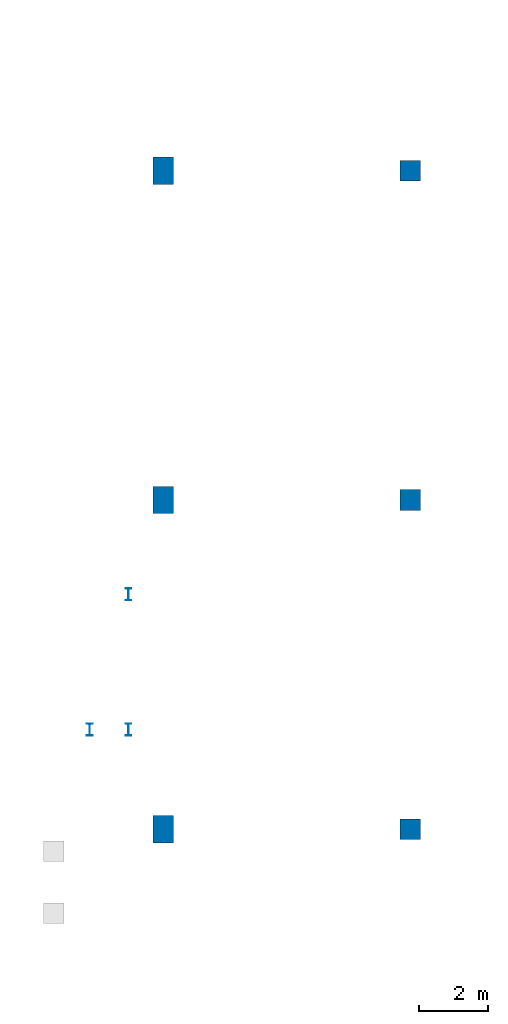
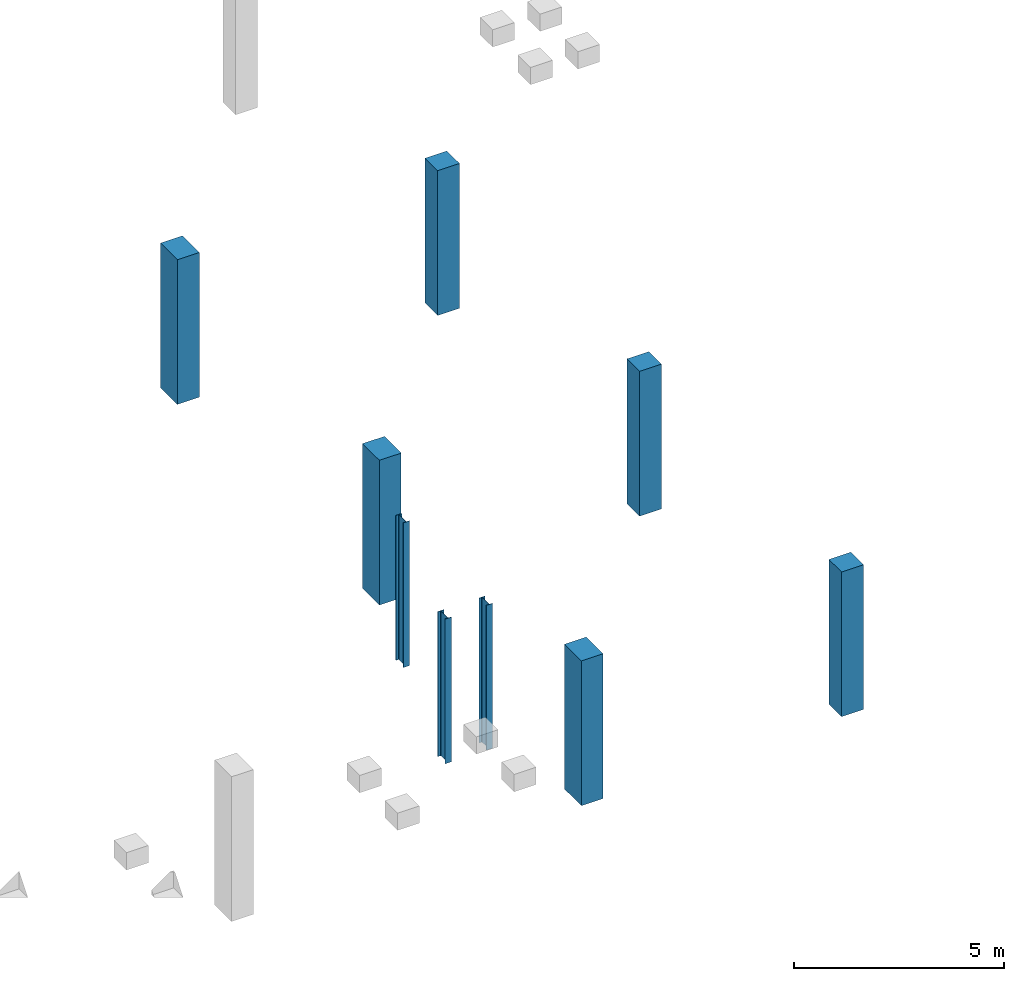
# One storey, part 22 of 47: 9 columns.
"""IFC4 building model written with IfcOpenShell, lengths in metres."""

import ifcopenshell
import ifcopenshell.guid

model = None  # the IFC model being written
_history = None  # IfcOwnerHistory: only IFC2X3 demands one
_inside = {}  # id of a spatial element -> (the spatial element, [elements in it])
_under = {}  # id of a project, library or spatial element -> (it, [spatial elements below it])
_declared = {}  # id of a project -> (the project, [libraries it declares])
_typed = {}  # id of a type object -> (the type object, [elements of that type])
_made_of = {}  # id of a material, layer set ... -> (it, [elements and type objects made of it])


def new_model(schema):
    """Start an empty IFC model of exactly this schema.

    Asked for "IFC4X3", IfcOpenShell would pick the latest addendum, in which some entities
    have other attributes; the version numbers below select the first issue.
    IFC2X3 requires an IfcOwnerHistory on every rooted entity: one is made here for all.
    """
    global model, _history
    if schema == "IFC4X3":
        model = ifcopenshell.file(schema_version=(4, 3, 0, 0))
    else:
        model = ifcopenshell.file(schema=schema)
    _inside.clear()
    _under.clear()
    _declared.clear()
    _typed.clear()
    _made_of.clear()
    _history = None
    if model.schema == "IFC2X3":
        org = make("IfcOrganization", Name="unknown")
        user = make(
            "IfcPersonAndOrganization",
            ThePerson=make("IfcPerson", FamilyName="unknown"),
            TheOrganization=org,
        )
        app = make(
            "IfcApplication",
            ApplicationDeveloper=org,
            Version="unknown",
            ApplicationFullName="unknown",
            ApplicationIdentifier="unknown",
        )
        _history = make(
            "IfcOwnerHistory",
            OwningUser=user,
            OwningApplication=app,
            ChangeAction="ADDED",
            CreationDate=0,
        )
    return model


def make(cls, **values):
    """One entity of the class cls with the attributes given. An attribute that is None is left unset."""
    return model.create_entity(
        cls, **{name: value for name, value in values.items() if value is not None}
    )


def rooted(cls, **values):
    """An entity with a GlobalId (a new one), such as an element, a storey or a relation."""
    return make(cls, GlobalId=ifcopenshell.guid.new(), OwnerHistory=_history, **values)


def si_unit(unit_type, name, prefix=None):
    """IfcSIUnit, for example si_unit("LENGTHUNIT", "METRE", prefix="MILLI")."""
    return make("IfcSIUnit", UnitType=unit_type, Prefix=prefix, Name=name)


def assignment(units):
    """IfcUnitAssignment: the units of a project."""
    return None if units is None else make("IfcUnitAssignment", Units=units)


def point(xyz):
    """IfcCartesianPoint."""
    return None if xyz is None else make("IfcCartesianPoint", Coordinates=xyz)


def direction(xyz):
    """IfcDirection."""
    return None if xyz is None else make("IfcDirection", DirectionRatios=xyz)


def frame(location, z_axis=None, x_axis=None):
    """IfcAxis2Placement3D, a coordinate frame: its origin and axes. An axis left out is left unset."""
    return make(
        "IfcAxis2Placement3D",
        Location=point(location),
        Axis=direction(z_axis),
        RefDirection=direction(x_axis),
    )


def frame_2d(location, x_axis=None):
    """IfcAxis2Placement2D, a coordinate frame in the plane: its origin and x axis."""
    return make(
        "IfcAxis2Placement2D", Location=point(location), RefDirection=direction(x_axis)
    )


def origin():
    """The frame at (0, 0, 0) with its axes left unset."""
    return frame((0.0, 0.0, 0.0))


def origin_2d():
    """The frame at (0, 0) in the plane with its x axis left unset."""
    return frame_2d((0.0, 0.0))


def place(relative_to, where):
    """IfcLocalPlacement: puts the frame where relative to a parent placement (None: the world)."""
    return make(
        "IfcLocalPlacement", PlacementRelTo=relative_to, RelativePlacement=where
    )


def context(
    kind, dimensions, precision=None, world=None, true_north=None, identifier=None
):
    """IfcGeometricRepresentationContext, for example the 3D "Model" context."""
    return make(
        "IfcGeometricRepresentationContext",
        ContextIdentifier=identifier,
        ContextType=kind,
        CoordinateSpaceDimension=dimensions,
        Precision=precision,
        WorldCoordinateSystem=world,
        TrueNorth=true_north,
    )


def subcontext(parent, identifier, kind, view, scale=None):
    """IfcGeometricRepresentationSubContext, for example "Body" below "Model"."""
    return make(
        "IfcGeometricRepresentationSubContext",
        ContextIdentifier=identifier,
        ContextType=kind,
        ParentContext=parent,
        TargetScale=scale,
        TargetView=view,
    )


def project(units=None, contexts=None):
    """IfcProject with its units and contexts."""
    return rooted(
        "IfcProject",
        Name="project",
        RepresentationContexts=contexts,
        UnitsInContext=assignment(units),
    )


def spatial(cls, under=None, at=None, **own):
    """A site, building, storey or space (cls), placed at a placement, below another one or the project."""
    s = rooted(cls, ObjectPlacement=at, **own)
    if under is not None:
        _under.setdefault(under.id(), (under, []))[1].append(s)
    return s


def profile(cls, at=None, kind="AREA", **sizes):
    """A parametric profile (cls). Its sizes go by their IFC names, for example OverallWidth=200.0."""
    return make(cls, ProfileType=kind, Position=at, **sizes)


def rectangle(**sizes):
    """IfcRectangleProfileDef."""
    return profile("IfcRectangleProfileDef", **sizes)


def i_section(**sizes):
    """IfcIShapeProfileDef."""
    return profile("IfcIShapeProfileDef", **sizes)


def extrude(swept, where, along, depth):
    """IfcExtrudedAreaSolid: the profile swept, set in the frame where, extruded along a direction by depth."""
    return make(
        "IfcExtrudedAreaSolid",
        SweptArea=swept,
        Position=where,
        ExtrudedDirection=direction(along),
        Depth=depth,
    )


def shape(context_of_items, identifier, shape_type, items):
    """IfcShapeRepresentation: the items that make up one representation, for example the "Body"."""
    return make(
        "IfcShapeRepresentation",
        ContextOfItems=context_of_items,
        RepresentationIdentifier=identifier,
        RepresentationType=shape_type,
        Items=items,
    )


def material(Name=None, Category=None):
    """IfcMaterial."""
    return make("IfcMaterial", Name=Name, Category=Category)


def material_profile(
    of_material, cross_section, Name=None, Category=None, Priority=None
):
    """IfcMaterialProfile: a cross section and its material."""
    return make(
        "IfcMaterialProfile",
        Name=Name,
        Material=of_material,
        Profile=cross_section,
        Priority=Priority,
        Category=Category,
    )


def profile_set(profiles, Name=None, composite=None):
    """IfcMaterialProfileSet."""
    return make(
        "IfcMaterialProfileSet",
        Name=Name,
        MaterialProfiles=profiles,
        CompositeProfile=composite,
    )


def made_of(thing, what):
    """Note that an element or type object is made of a material, layer set ...; save() writes the relation."""
    if what is not None:
        _made_of.setdefault(what.id(), (what, []))[1].append(thing)
    return thing


def type_object(cls, material=None, **own):
    """A type object (cls), such as IfcWallType, which elements share."""
    return made_of(rooted(cls, **own), material)


def element(
    cls,
    number,
    at=None,
    inside=None,
    cuts=None,
    type_object=None,
    material=None,
    context=None,
    identifier="Body",
    shape_type=None,
    held_by="IfcProductDefinitionShape",
    body=None,
    shapes=None,
    **own,
):
    """One element of the class cls, such as IfcWall. Its Tag is "e" and its number.

    at: its placement. inside: the storey or other place that contains it. cuts: it is an
    opening in that element (IfcRelVoidsElement). A single representation is given by context,
    identifier, shape_type and body (its items); several are given by shapes. held_by: the class
    of the entity that holds the representations. save() writes the other relations.
    """
    e = rooted(cls, Tag="e%d" % number, ObjectPlacement=at, **own)
    if body is not None:
        shapes = [shape(context, identifier, shape_type, body)]
    if shapes is not None:
        e.Representation = make(held_by, Representations=shapes)
    if inside is not None:
        _inside.setdefault(inside.id(), (inside, []))[1].append(e)
    if cuts is not None:
        rooted(
            "IfcRelVoidsElement", RelatingBuildingElement=cuts, RelatedOpeningElement=e
        )
    if type_object is not None:
        _typed.setdefault(type_object.id(), (type_object, []))[1].append(e)
    return made_of(e, material)


def aggregate(whole, parts):
    """IfcRelAggregates: a whole, such as a stair, and the parts it consists of."""
    return rooted("IfcRelAggregates", RelatingObject=whole, RelatedObjects=parts)


def save(model, path):
    """Write the relations noted so far, then the file.

    IfcRelAggregates (storeys below a building ...), IfcRelContainedInSpatialStructure (elements
    in a storey), IfcRelDefinesByType, IfcRelAssociatesMaterial and IfcRelDeclares: one each for
    every whole, place, type object, material and project.
    """
    for whole, parts in _under.values():
        aggregate(whole, parts)
    for where, things in _inside.values():
        rooted(
            "IfcRelContainedInSpatialStructure",
            RelatedElements=things,
            RelatingStructure=where,
        )
    for kind, things in _typed.values():
        rooted("IfcRelDefinesByType", RelatedObjects=things, RelatingType=kind)
    for what, things in _made_of.values():
        rooted("IfcRelAssociatesMaterial", RelatedObjects=things, RelatingMaterial=what)
    for by, libraries in _declared.values():
        rooted("IfcRelDeclares", RelatingContext=by, RelatedDefinitions=libraries)
    model.write(path)


model = new_model("IFC4")

# Units and contexts
model_context = context("Model", 3, precision=1e-05, world=origin(), true_north=direction((0.0, 1.0)))
body_context = subcontext(model_context, "Body", "Model", "MODEL_VIEW")
ifc_project = project(units=[si_unit("LENGTHUNIT", "METRE"), si_unit("AREAUNIT", "SQUARE_METRE"), si_unit("VOLUMEUNIT", "CUBIC_METRE"), si_unit("PLANEANGLEUNIT", "RADIAN"), si_unit("MASSUNIT", "GRAM", prefix="KILO")], contexts=[model_context])

# Site, building, storey
site_placement = place(None, origin())
site = spatial("IfcSite", under=ifc_project, at=site_placement, CompositionType="ELEMENT")
building_placement = place(site_placement, origin())
building = spatial("IfcBuilding", under=site, at=building_placement, Name="Zevrakil Square Congress Hotel", CompositionType="ELEMENT")
storey_placement = place(building_placement, frame((0.0, 0.0, -4.199951171875)))
storey = spatial("IfcBuildingStorey", under=building, at=storey_placement, Name="B1", CompositionType="ELEMENT", Elevation=-4.199951171875)

# Columns
ifc_material_1 = material(Name="Steel S355", Category="steel")
ifc_material_profile_1 = material_profile(ifc_material_1, i_section(OverallWidth=0.169921875, OverallDepth=0.360107421875, WebThickness=0.008056640625, FlangeThickness=0.0126953125, FilletRadius=0.01806640625, at=origin_2d()), Name="IPE 360")
ifc_profile_set_1 = profile_set([ifc_material_profile_1], Name="Steel S355")
column_type_1 = type_object("IfcColumnType", Name="COL-PILASTER-SHS180", PredefinedType="PILASTER", material=ifc_profile_set_1)
for number, where, z_axis, x_axis, name in (
    (1, (163.449951171875, 67.699951171875, 0.0), (0.0, 0.0, 1.0), (1.0, 0.0, 0.0), "B1 ST09 stair shaft post 1"),
    (2, (164.580078125, 67.699951171875, 0.0), (0.0, 0.0, 1.0), (1.0, 0.0, 0.0), "B1 ST09 stair shaft post 2"),
    (3, (164.580078125, 71.64990234375, 0.0), (0.0, 0.0, 1.0), (1.0, 0.0, 0.0), "B1 ST09 stair shaft post 3"),
):
    element("IfcColumn", number, at=place(storey_placement, frame(where, z_axis=z_axis, x_axis=x_axis)), inside=storey, type_object=column_type_1, Name=name, PredefinedType="PILASTER", context=body_context, shape_type="SweptSolid", body=[
        extrude(i_section(OverallWidth=0.169921875, OverallDepth=0.360107421875, WebThickness=0.008056640625, FlangeThickness=0.0126953125, FilletRadius=0.01806640625, at=origin_2d()), origin(), (0.0, 0.0, 1.0), 4.199951171875),
    ])
ifc_material_2 = material(Name="Concrete C40/50", Category="concrete")
ifc_material_profile_2 = material_profile(ifc_material_2, rectangle(XDim=0.60009765625, YDim=0.60009765625, at=origin_2d()), Name="RC 600x600")
ifc_profile_set_2 = profile_set([ifc_material_profile_2], Name="Concrete C40/50")
column_type_2 = type_object("IfcColumnType", Name="COL-RC600", PredefinedType="COLUMN", material=ifc_profile_set_2)
for number, where, z_axis, x_axis, name in (
    (4, (172.800048828125, 64.800048828125, 0.0), (0.0, 0.0, 1.0), (1.0, 0.0, 0.0), "B1 column C-249"),
    (5, (172.800048828125, 74.39990234375, 0.0), (0.0, 0.0, 1.0), (1.0, 0.0, 0.0), "B1 column C-250"),
    (6, (172.800048828125, 84.0, 0.0), (0.0, 0.0, 1.0), (1.0, 0.0, 0.0), "B1 column C-251"),
):
    element("IfcColumn", number, at=place(storey_placement, frame(where, z_axis=z_axis, x_axis=x_axis)), inside=storey, type_object=column_type_2, Name=name, PredefinedType="COLUMN", context=body_context, shape_type="SweptSolid", body=[
        extrude(rectangle(XDim=0.60009765625, YDim=0.60009765625, at=origin_2d()), origin(), (0.0, 0.0, 1.0), 4.199951171875),
    ])
ifc_material_3 = material(Name="Concrete C40/50", Category="concrete")
ifc_material_profile_3 = material_profile(ifc_material_3, rectangle(XDim=0.60009765625, YDim=0.800048828125, at=origin_2d()), Name="RC 600x800")
ifc_profile_set_3 = profile_set([ifc_material_profile_3], Name="Concrete C40/50")
column_type_3 = type_object("IfcColumnType", Name="COL-RC600x800", PredefinedType="COLUMN", material=ifc_profile_set_3)
for number, where, z_axis, x_axis, name in (
    (7, (165.60009765625, 64.800048828125, 0.0), (0.0, 0.0, 1.0), (1.0, 0.0, 0.0), "B1 column C-235"),
    (8, (165.60009765625, 74.39990234375, 0.0), (0.0, 0.0, 1.0), (1.0, 0.0, 0.0), "B1 column C-236"),
    (9, (165.60009765625, 84.0, 0.0), (0.0, 0.0, 1.0), (1.0, 0.0, 0.0), "B1 column C-237"),
):
    element("IfcColumn", number, at=place(storey_placement, frame(where, z_axis=z_axis, x_axis=x_axis)), inside=storey, type_object=column_type_3, Name=name, PredefinedType="COLUMN", context=body_context, shape_type="SweptSolid", body=[
        extrude(rectangle(XDim=0.60009765625, YDim=0.800048828125, at=origin_2d()), origin(), (0.0, 0.0, 1.0), 4.199951171875),
    ])

save(model, "model.ifc")
